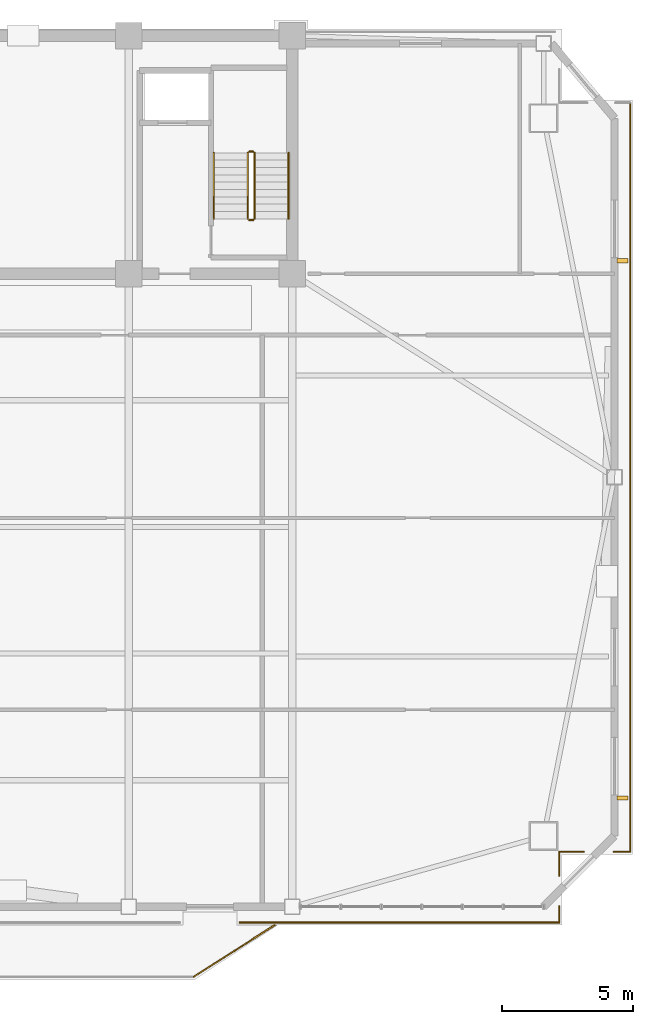
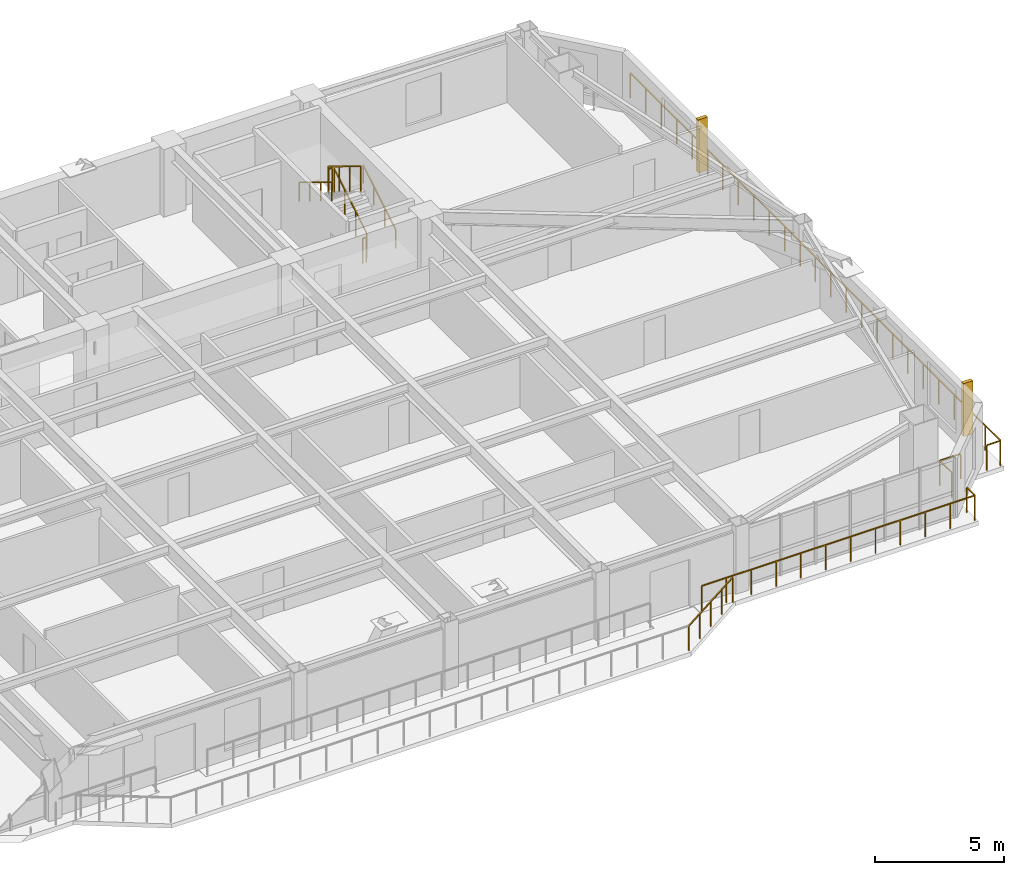
# One storey, part 15 of 16: 13 railings, 2 shading devices.
"""IFC4 building model written with IfcOpenShell, lengths in metres."""

from ifc_helpers import new_model, si_unit, direction, frame, origin, origin_2d, place, context, subcontext, project, spatial, rectangle, extrude, source, transform, mapped, material, type_object, element, save


model = new_model("IFC4")

# Units and contexts
model_context = context("Model", 3, precision=1e-05, world=origin(), true_north=direction((0.0, 1.0)))
body_context = subcontext(model_context, "Body", "Model", "MODEL_VIEW")
ifc_project = project(units=[si_unit("LENGTHUNIT", "METRE"), si_unit("AREAUNIT", "SQUARE_METRE"), si_unit("VOLUMEUNIT", "CUBIC_METRE"), si_unit("PLANEANGLEUNIT", "RADIAN"), si_unit("MASSUNIT", "GRAM", prefix="KILO")], contexts=[model_context])

# Site, building, storey
site_placement = place(None, origin())
site = spatial("IfcSite", under=ifc_project, at=site_placement, CompositionType="ELEMENT")
building_placement = place(site_placement, origin())
building = spatial("IfcBuilding", under=site, at=building_placement, Name="Giltprow Tower", CompositionType="ELEMENT")
storey_placement = place(building_placement, frame((0.0, 0.0, 230.39990234375)))
storey = spatial("IfcBuildingStorey", under=building, at=storey_placement, Name="L58", CompositionType="ELEMENT", Elevation=230.39990234375)

# Railings
ifc_material = material(Name="Anodized bronze", Category="metal")
railing_type_1 = type_object("IfcRailingType", Name="RAIL-BALC-GUARD-1200", PredefinedType="BALUSTRADE", material=ifc_material)
railing_1_placement = place(storey_placement, frame((46.780029296875, 10.570068359375, 0.0)))
element("IfcRailing", 1, at=railing_1_placement, inside=storey, type_object=railing_type_1, Name="L58 Waterfront Balcony Balustrade Seg 3", PredefinedType="BALUSTRADE", context=body_context, shape_type="SweptSolid", body=[
    extrude(rectangle(XDim=0.048095703125, YDim=0.048095703125, at=origin_2d()), frame((0.0, 0.0, 1.17578125), z_axis=(0.842755646126, 0.538296313309, 0.0), x_axis=(-0.538296313309, 0.842755646126, 0.0)), (0.0, 0.0, 1.0), 3.67822265625),
    extrude(rectangle(XDim=0.0419921875, YDim=0.0419921875, at=origin_2d()), origin(), (0.0, 0.0, 1.0), 1.15185546875),
    extrude(rectangle(XDim=0.0419921875, YDim=0.0419921875, at=origin_2d()), frame((0.77490234375, 0.4951171875, 0.0)), (0.0, 0.0, 1.0), 1.15185546875),
    extrude(rectangle(XDim=0.0419921875, YDim=0.0419921875, at=origin_2d()), frame((1.5498046875, 0.989990234375, 0.0)), (0.0, 0.0, 1.0), 1.15185546875),
    extrude(rectangle(XDim=0.0419921875, YDim=0.0419921875, at=origin_2d()), frame((2.324951171875, 1.48486328125, 0.0)), (0.0, 0.0, 1.0), 1.15185546875),
    extrude(rectangle(XDim=0.0419921875, YDim=0.0419921875, at=origin_2d()), frame((3.099853515625, 1.97998046875, 0.0)), (0.0, 0.0, 1.0), 1.15185546875),
])
railing_2_placement = place(storey_placement, frame((63.467041015625, 43.992919921875, 0.0)))
element("IfcRailing", 2, at=railing_2_placement, inside=storey, type_object=railing_type_1, Name="L58 Corner Apron Edge Balustrade 1", PredefinedType="BALUSTRADE", context=body_context, shape_type="SweptSolid", body=[
    extrude(rectangle(XDim=0.048095703125, YDim=0.048095703125, at=origin_2d()), frame((0.0, 0.0, 1.17578125), z_axis=(0.0, -1.0, 0.0), x_axis=(1.0, 0.0, 0.0)), (0.0, 0.0, 1.0), 28.635986328125),
    extrude(rectangle(XDim=0.0419921875, YDim=0.0419921875, at=origin_2d()), origin(), (0.0, 0.0, 1.0), 1.15185546875),
    extrude(rectangle(XDim=0.0419921875, YDim=0.0419921875, at=origin_2d()), frame((0.0, -1.193115234375, 0.0)), (0.0, 0.0, 1.0), 1.15185546875),
    extrude(rectangle(XDim=0.0419921875, YDim=0.0419921875, at=origin_2d()), frame((0.0, -2.38623046875, 0.0)), (0.0, 0.0, 1.0), 1.15185546875),
    extrude(rectangle(XDim=0.0419921875, YDim=0.0419921875, at=origin_2d()), frame((0.0, -3.57958984375, 0.0)), (0.0, 0.0, 1.0), 1.15185546875),
    extrude(rectangle(XDim=0.0419921875, YDim=0.0419921875, at=origin_2d()), frame((0.0, -4.772705078125, 0.0)), (0.0, 0.0, 1.0), 1.15185546875),
    extrude(rectangle(XDim=0.0419921875, YDim=0.0419921875, at=origin_2d()), frame((0.0, -5.9658203125, 0.0)), (0.0, 0.0, 1.0), 1.15185546875),
    extrude(rectangle(XDim=0.0419921875, YDim=0.0419921875, at=origin_2d()), frame((0.0, -7.158935546875, 0.0)), (0.0, 0.0, 1.0), 1.15185546875),
    extrude(rectangle(XDim=0.0419921875, YDim=0.0419921875, at=origin_2d()), frame((0.0, -8.35205078125, 0.0)), (0.0, 0.0, 1.0), 1.15185546875),
    extrude(rectangle(XDim=0.0419921875, YDim=0.0419921875, at=origin_2d()), frame((0.0, -9.54541015625, 0.0)), (0.0, 0.0, 1.0), 1.15185546875),
    extrude(rectangle(XDim=0.0419921875, YDim=0.0419921875, at=origin_2d()), frame((0.0, -10.738525390625, 0.0)), (0.0, 0.0, 1.0), 1.15185546875),
    extrude(rectangle(XDim=0.0419921875, YDim=0.0419921875, at=origin_2d()), frame((0.0, -11.931640625, 0.0)), (0.0, 0.0, 1.0), 1.15185546875),
    extrude(rectangle(XDim=0.0419921875, YDim=0.0419921875, at=origin_2d()), frame((0.0, -13.124755859375, 0.0)), (0.0, 0.0, 1.0), 1.15185546875),
    extrude(rectangle(XDim=0.0419921875, YDim=0.0419921875, at=origin_2d()), frame((0.0, -14.31787109375, 0.0)), (0.0, 0.0, 1.0), 1.15185546875),
    extrude(rectangle(XDim=0.0419921875, YDim=0.0419921875, at=origin_2d()), frame((0.0, -15.51123046875, 0.0)), (0.0, 0.0, 1.0), 1.15185546875),
    extrude(rectangle(XDim=0.0419921875, YDim=0.0419921875, at=origin_2d()), frame((0.0, -16.704345703125, 0.0)), (0.0, 0.0, 1.0), 1.15185546875),
    extrude(rectangle(XDim=0.0419921875, YDim=0.0419921875, at=origin_2d()), frame((0.0, -17.8974609375, 0.0)), (0.0, 0.0, 1.0), 1.15185546875),
    extrude(rectangle(XDim=0.0419921875, YDim=0.0419921875, at=origin_2d()), frame((0.0, -19.090576171875, 0.0)), (0.0, 0.0, 1.0), 1.15185546875),
    extrude(rectangle(XDim=0.0419921875, YDim=0.0419921875, at=origin_2d()), frame((0.0, -20.283935546875, 0.0)), (0.0, 0.0, 1.0), 1.15185546875),
    extrude(rectangle(XDim=0.0419921875, YDim=0.0419921875, at=origin_2d()), frame((0.0, -21.47705078125, 0.0)), (0.0, 0.0, 1.0), 1.15185546875),
    extrude(rectangle(XDim=0.0419921875, YDim=0.0419921875, at=origin_2d()), frame((0.0, -22.670166015625, 0.0)), (0.0, 0.0, 1.0), 1.15185546875),
    extrude(rectangle(XDim=0.0419921875, YDim=0.0419921875, at=origin_2d()), frame((0.0, -23.86328125, 0.0)), (0.0, 0.0, 1.0), 1.15185546875),
    extrude(rectangle(XDim=0.0419921875, YDim=0.0419921875, at=origin_2d()), frame((0.0, -25.056396484375, 0.0)), (0.0, 0.0, 1.0), 1.15185546875),
    extrude(rectangle(XDim=0.0419921875, YDim=0.0419921875, at=origin_2d()), frame((0.0, -26.249755859375, 0.0)), (0.0, 0.0, 1.0), 1.15185546875),
    extrude(rectangle(XDim=0.0419921875, YDim=0.0419921875, at=origin_2d()), frame((0.0, -27.44287109375, 0.0)), (0.0, 0.0, 1.0), 1.15185546875),
    extrude(rectangle(XDim=0.0419921875, YDim=0.0419921875, at=origin_2d()), frame((0.0, -28.635986328125, 0.0)), (0.0, 0.0, 1.0), 1.15185546875),
])
railing_3_placement = place(storey_placement, frame((63.467041015625, 15.35693359375, 0.0)))
element("IfcRailing", 3, at=railing_3_placement, inside=storey, type_object=railing_type_1, Name="L58 Corner Apron Edge Balustrade 2", PredefinedType="BALUSTRADE", context=body_context, shape_type="SweptSolid", body=[
    extrude(rectangle(XDim=0.048095703125, YDim=0.048095703125, at=origin_2d()), frame((0.0, 0.0, 1.17578125), z_axis=(-1.0, 0.0, 0.0), x_axis=(0.0, -1.0, 0.0)), (0.0, 0.0, 1.0), 0.6201171875),
    extrude(rectangle(XDim=0.0419921875, YDim=0.0419921875, at=origin_2d()), origin(), (0.0, 0.0, 1.0), 1.15185546875),
    extrude(rectangle(XDim=0.0419921875, YDim=0.0419921875, at=origin_2d()), frame((-0.6201171875, 0.0, 0.0)), (0.0, 0.0, 1.0), 1.15185546875),
])
railing_4_placement = place(storey_placement, frame((61.68701171875, 15.35693359375, 0.0)))
element("IfcRailing", 4, at=railing_4_placement, inside=storey, type_object=railing_type_1, Name="L58 Corner Apron Edge Balustrade 3", PredefinedType="BALUSTRADE", context=body_context, shape_type="SweptSolid", body=[
    extrude(rectangle(XDim=0.048095703125, YDim=0.048095703125, at=origin_2d()), frame((0.0, 0.0, 1.17578125), z_axis=(-1.0, 0.0, 0.0), x_axis=(0.0, -1.0, 0.0)), (0.0, 0.0, 1.0), 0.927001953125),
    extrude(rectangle(XDim=0.0419921875, YDim=0.0419921875, at=origin_2d()), origin(), (0.0, 0.0, 1.0), 1.15185546875),
    extrude(rectangle(XDim=0.0419921875, YDim=0.0419921875, at=origin_2d()), frame((-0.927001953125, 0.0, 0.0)), (0.0, 0.0, 1.0), 1.15185546875),
])
railing_5_placement = place(storey_placement, frame((60.760009765625, 15.35693359375, 0.0)))
element("IfcRailing", 5, at=railing_5_placement, inside=storey, type_object=railing_type_1, Name="L58 Corner Apron Edge Balustrade 4", PredefinedType="BALUSTRADE", context=body_context, shape_type="SweptSolid", body=[
    extrude(rectangle(XDim=0.048095703125, YDim=0.048095703125, at=origin_2d()), frame((0.0, 0.0, 1.17578125), z_axis=(0.0, -1.0, 0.0), x_axis=(1.0, 0.0, 0.0)), (0.0, 0.0, 1.0), 0.927001953125),
    extrude(rectangle(XDim=0.0419921875, YDim=0.0419921875, at=origin_2d()), origin(), (0.0, 0.0, 1.0), 1.15185546875),
    extrude(rectangle(XDim=0.0419921875, YDim=0.0419921875, at=origin_2d()), frame((0.0, -0.927001953125, 0.0)), (0.0, 0.0, 1.0), 1.15185546875),
])
railing_6_placement = place(storey_placement, frame((60.760009765625, 13.27001953125, 0.0)))
element("IfcRailing", 6, at=railing_6_placement, inside=storey, type_object=railing_type_1, Name="L58 Corner Apron Edge Balustrade 5", PredefinedType="BALUSTRADE", context=body_context, shape_type="SweptSolid", body=[
    extrude(rectangle(XDim=0.048095703125, YDim=0.048095703125, at=origin_2d()), frame((0.0, 0.0, 1.17578125), z_axis=(0.0, -1.0, 0.0), x_axis=(1.0, 0.0, 0.0)), (0.0, 0.0, 1.0), 0.6201171875),
    extrude(rectangle(XDim=0.0419921875, YDim=0.0419921875, at=origin_2d()), origin(), (0.0, 0.0, 1.0), 1.15185546875),
    extrude(rectangle(XDim=0.0419921875, YDim=0.0419921875, at=origin_2d()), frame((0.0, -0.6201171875, 0.0)), (0.0, 0.0, 1.0), 1.15185546875),
])
railing_7_placement = place(storey_placement, frame((60.760009765625, 12.64990234375, 0.0)))
element("IfcRailing", 7, at=railing_7_placement, inside=storey, type_object=railing_type_1, Name="L58 Corner Apron Edge Balustrade 6", PredefinedType="BALUSTRADE", context=body_context, shape_type="SweptSolid", body=[
    extrude(rectangle(XDim=0.048095703125, YDim=0.048095703125, at=origin_2d()), frame((0.0, 0.0, 1.17578125), z_axis=(-1.0, 0.0, 0.0), x_axis=(0.0, -1.0, 0.0)), (0.0, 0.0, 1.0), 12.2099609375),
    extrude(rectangle(XDim=0.0419921875, YDim=0.0419921875, at=origin_2d()), origin(), (0.0, 0.0, 1.0), 1.15185546875),
    extrude(rectangle(XDim=0.0419921875, YDim=0.0419921875, at=origin_2d()), frame((-1.110107421875, 0.0, 0.0)), (0.0, 0.0, 1.0), 1.15185546875),
    extrude(rectangle(XDim=0.0419921875, YDim=0.0419921875, at=origin_2d()), frame((-2.219970703125, 0.0, 0.0)), (0.0, 0.0, 1.0), 1.15185546875),
    extrude(rectangle(XDim=0.0419921875, YDim=0.0419921875, at=origin_2d()), frame((-3.330078125, 0.0, 0.0)), (0.0, 0.0, 1.0), 1.15185546875),
    extrude(rectangle(XDim=0.0419921875, YDim=0.0419921875, at=origin_2d()), frame((-4.43994140625, 0.0, 0.0)), (0.0, 0.0, 1.0), 1.15185546875),
    extrude(rectangle(XDim=0.0419921875, YDim=0.0419921875, at=origin_2d()), frame((-5.550048828125, 0.0, 0.0)), (0.0, 0.0, 1.0), 1.15185546875),
    extrude(rectangle(XDim=0.0419921875, YDim=0.0419921875, at=origin_2d()), frame((-6.659912109375, 0.0, 0.0)), (0.0, 0.0, 1.0), 1.15185546875),
    extrude(rectangle(XDim=0.0419921875, YDim=0.0419921875, at=origin_2d()), frame((-7.77001953125, 0.0, 0.0)), (0.0, 0.0, 1.0), 1.15185546875),
    extrude(rectangle(XDim=0.0419921875, YDim=0.0419921875, at=origin_2d()), frame((-8.8798828125, 0.0, 0.0)), (0.0, 0.0, 1.0), 1.15185546875),
    extrude(rectangle(XDim=0.0419921875, YDim=0.0419921875, at=origin_2d()), frame((-9.989990234375, 0.0, 0.0)), (0.0, 0.0, 1.0), 1.15185546875),
    extrude(rectangle(XDim=0.0419921875, YDim=0.0419921875, at=origin_2d()), frame((-11.099853515625, 0.0, 0.0)), (0.0, 0.0, 1.0), 1.15185546875),
    extrude(rectangle(XDim=0.0419921875, YDim=0.0419921875, at=origin_2d()), frame((-12.2099609375, 0.0, 0.0)), (0.0, 0.0, 1.0), 1.15185546875),
])
railing_type_2 = type_object("IfcRailingType", Name="RAIL-STAIR-GUARD-1200", PredefinedType="GUARDRAIL", material=ifc_material)
railing_8_placement = place(storey_placement, frame((49.110107421875, 39.550048828125, 0.170166015625)))
element("IfcRailing", 8, at=railing_8_placement, inside=storey, type_object=railing_type_2, Name="L58 ST-3 stair guard 1", PredefinedType="GUARDRAIL", context=body_context, shape_type="SweptSolid", body=[
    extrude(rectangle(XDim=0.048095703125, YDim=0.048095703125, at=origin_2d()), frame((0.0, 0.0, 1.17578125), z_axis=(0.0, 0.85478489116, 0.518982456201), x_axis=(-1.0, 0.0, 0.0)), (0.0, 0.0, 1.0), 2.9482421875),
    extrude(rectangle(XDim=0.0419921875, YDim=0.0419921875, at=origin_2d()), origin(), (0.0, 0.0, 1.0), 1.15185546875),
    extrude(rectangle(XDim=0.0419921875, YDim=0.0419921875, at=origin_2d()), frame((0.0, 0.840087890625, 0.510009765625)), (0.0, 0.0, 1.0), 1.15185546875),
    extrude(rectangle(XDim=0.0419921875, YDim=0.0419921875, at=origin_2d()), frame((0.0, 1.679931640625, 1.02001953125)), (0.0, 0.0, 1.0), 1.15185546875),
    extrude(rectangle(XDim=0.0419921875, YDim=0.0419921875, at=origin_2d()), frame((0.0, 2.52001953125, 1.530029296875)), (0.0, 0.0, 1.0), 1.15185546875),
])
railing_9_placement = place(storey_placement, frame((49.06005859375, 42.1201171875, 1.7001953125)))
element("IfcRailing", 9, at=railing_9_placement, inside=storey, type_object=railing_type_2, Name="L58 ST-3 stair guard 2", PredefinedType="GUARDRAIL", context=body_context, shape_type="SweptSolid", body=[
    extrude(rectangle(XDim=0.048095703125, YDim=0.048095703125, at=origin_2d()), frame((0.0, 0.0, 1.17578125), z_axis=(-1.0, 0.0, 0.0), x_axis=(0.0, -1.0, 0.0)), (0.0, 0.0, 1.0), 0.16015625),
    extrude(rectangle(XDim=0.0419921875, YDim=0.0419921875, at=origin_2d()), origin(), (0.0, 0.0, 1.0), 1.15185546875),
    extrude(rectangle(XDim=0.0419921875, YDim=0.0419921875, at=origin_2d()), frame((-0.16015625, 0.0, 0.0)), (0.0, 0.0, 1.0), 1.15185546875),
])
railing_10_placement = place(storey_placement, frame((48.85009765625, 42.070068359375, 1.8701171875)))
element("IfcRailing", 10, at=railing_10_placement, inside=storey, type_object=railing_type_2, Name="L58 ST-3 stair guard 3", PredefinedType="GUARDRAIL", context=body_context, shape_type="SweptSolid", body=[
    extrude(rectangle(XDim=0.048095703125, YDim=0.048095703125, at=origin_2d()), frame((0.0, 0.0, 1.17578125), z_axis=(0.0, -0.85478489116, 0.518982456201), x_axis=(1.0, 0.0, 0.0)), (0.0, 0.0, 1.0), 2.9482421875),
    extrude(rectangle(XDim=0.0419921875, YDim=0.0419921875, at=origin_2d()), origin(), (0.0, 0.0, 1.0), 1.15185546875),
    extrude(rectangle(XDim=0.0419921875, YDim=0.0419921875, at=origin_2d()), frame((0.0, -0.840087890625, 0.510009765625)), (0.0, 0.0, 1.0), 1.15185546875),
    extrude(rectangle(XDim=0.0419921875, YDim=0.0419921875, at=origin_2d()), frame((0.0, -1.679931640625, 1.02001953125)), (0.0, 0.0, 1.0), 1.15185546875),
    extrude(rectangle(XDim=0.0419921875, YDim=0.0419921875, at=origin_2d()), frame((0.0, -2.52001953125, 1.530029296875)), (0.0, 0.0, 1.0), 1.15185546875),
])
railing_11_placement = place(storey_placement, frame((49.06005859375, 39.5, 0.0)))
element("IfcRailing", 11, at=railing_11_placement, inside=storey, type_object=railing_type_2, Name="L58 ST-3 stair guard 4", PredefinedType="GUARDRAIL", context=body_context, shape_type="SweptSolid", body=[
    extrude(rectangle(XDim=0.048095703125, YDim=0.048095703125, at=origin_2d()), frame((0.0, 0.0, 1.17578125), z_axis=(-1.0, 0.0, 0.0), x_axis=(0.0, -1.0, 0.0)), (0.0, 0.0, 1.0), 0.16015625),
    extrude(rectangle(XDim=0.0419921875, YDim=0.0419921875, at=origin_2d()), origin(), (0.0, 0.0, 1.0), 1.15185546875),
    extrude(rectangle(XDim=0.0419921875, YDim=0.0419921875, at=origin_2d()), frame((-0.16015625, 0.0, 0.0)), (0.0, 0.0, 1.0), 1.15185546875),
])
railing_type_3 = type_object("IfcRailingType", Name="RAIL-STAIR-HAND-900", PredefinedType="HANDRAIL", material=ifc_material)
railing_12_placement = place(storey_placement, frame((50.409912109375, 39.550048828125, 0.170166015625)))
element("IfcRailing", 12, at=railing_12_placement, inside=storey, type_object=railing_type_3, Name="L58 ST-3 stair handrail 1", PredefinedType="HANDRAIL", context=body_context, shape_type="SweptSolid", body=[
    extrude(rectangle(XDim=0.048095703125, YDim=0.048095703125, at=origin_2d()), frame((0.0, 0.0, 0.8759765625), z_axis=(0.0, 0.85478489116, 0.518982456201), x_axis=(-1.0, 0.0, 0.0)), (0.0, 0.0, 1.0), 2.9482421875),
    extrude(rectangle(XDim=0.0419921875, YDim=0.0419921875, at=origin_2d()), origin(), (0.0, 0.0, 1.0), 0.851806640625),
    extrude(rectangle(XDim=0.0419921875, YDim=0.0419921875, at=origin_2d()), frame((0.0, 0.840087890625, 0.510009765625)), (0.0, 0.0, 1.0), 0.851806640625),
    extrude(rectangle(XDim=0.0419921875, YDim=0.0419921875, at=origin_2d()), frame((0.0, 1.679931640625, 1.02001953125)), (0.0, 0.0, 1.0), 0.851806640625),
    extrude(rectangle(XDim=0.0419921875, YDim=0.0419921875, at=origin_2d()), frame((0.0, 2.52001953125, 1.530029296875)), (0.0, 0.0, 1.0), 0.851806640625),
])
railing_13_placement = place(storey_placement, frame((47.550048828125, 42.070068359375, 1.8701171875)))
element("IfcRailing", 13, at=railing_13_placement, inside=storey, type_object=railing_type_3, Name="L58 ST-3 stair handrail 2", PredefinedType="HANDRAIL", context=body_context, shape_type="SweptSolid", body=[
    extrude(rectangle(XDim=0.048095703125, YDim=0.048095703125, at=origin_2d()), frame((0.0, 0.0, 0.8759765625), z_axis=(0.0, -0.85478489116, 0.518982456201), x_axis=(1.0, 0.0, 0.0)), (0.0, 0.0, 1.0), 2.9482421875),
    extrude(rectangle(XDim=0.0419921875, YDim=0.0419921875, at=origin_2d()), origin(), (0.0, 0.0, 1.0), 0.851806640625),
    extrude(rectangle(XDim=0.0419921875, YDim=0.0419921875, at=origin_2d()), frame((0.0, -0.840087890625, 0.510009765625)), (0.0, 0.0, 1.0), 0.851806640625),
    extrude(rectangle(XDim=0.0419921875, YDim=0.0419921875, at=origin_2d()), frame((0.0, -1.679931640625, 1.02001953125)), (0.0, 0.0, 1.0), 0.851806640625),
    extrude(rectangle(XDim=0.0419921875, YDim=0.0419921875, at=origin_2d()), frame((0.0, -2.52001953125, 1.530029296875)), (0.0, 0.0, 1.0), 0.851806640625),
])

# Shading devices
shading_device_type = type_object("IfcShadingDeviceType", Name="SHD-FIN-420", PredefinedType="USERDEFINED", material=ifc_material)
shared_shape = source(origin(), body_context, "Body", "SweptSolid", [
    extrude(rectangle(XDim=0.419921875, YDim=0.159912109375, at=origin_2d()), origin(), (0.0, 0.0, 1.0), 2.5),
])
for number, where, z_axis, x_axis, name in (
    (14, (63.1669921875, 17.404052734375, 0.35009765625), (0.0, 0.0, 1.0), (1.0, 0.0, 0.0), "L58 E Bronze Vertical Fin 1-1"),
    (15, (63.1669921875, 37.947998046875, 0.35009765625), (0.0, 0.0, 1.0), (1.0, 0.0, 0.0), "L58 E Bronze Vertical Fin 2-1"),
):
    element("IfcShadingDevice", number, at=place(storey_placement, frame(where, z_axis=z_axis, x_axis=x_axis)), inside=storey, type_object=shading_device_type, Name=name, ObjectType="FIN", PredefinedType="USERDEFINED", context=body_context, shape_type="MappedRepresentation", body=[
        mapped(shared_shape, transform((0.0, 0.0, 0.0), x_axis=(1.0, 0.0, 0.0), y_axis=(0.0, 1.0, 0.0), z_axis=(0.0, 0.0, 1.0), scale=1.0)),
    ])

save(model, "model.ifc")
